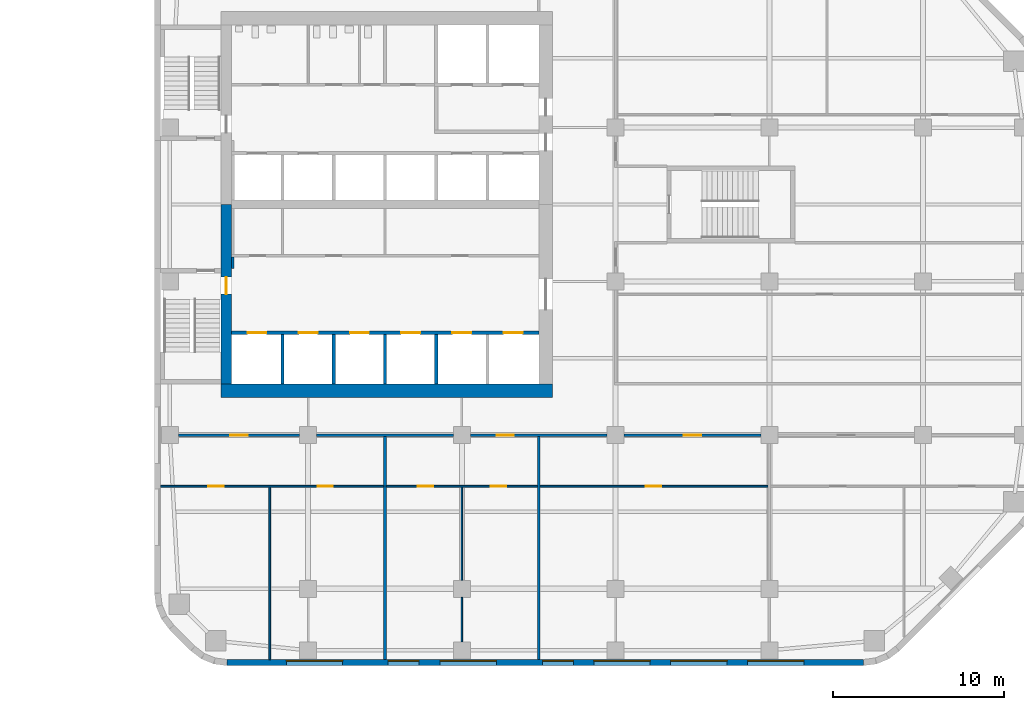
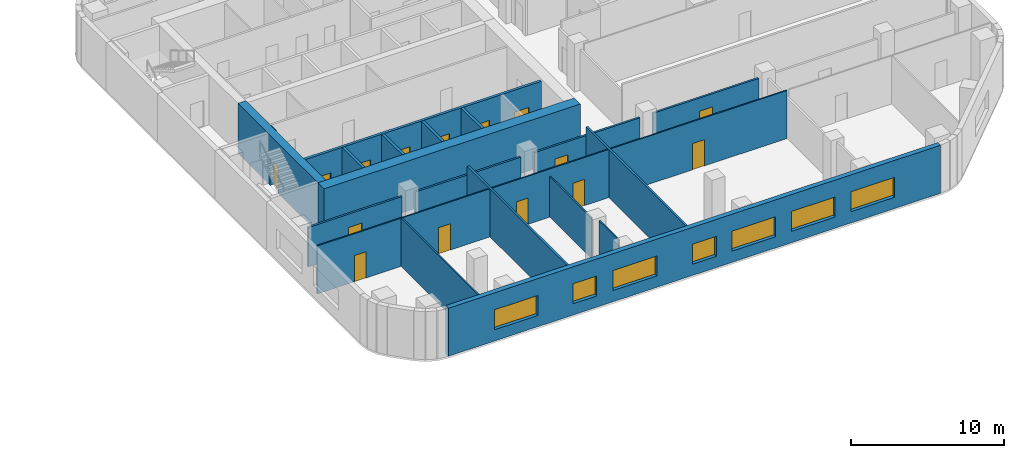
# One storey, part 8 of 15: 21 walls, 15 doors, 7 windows, 22 openings.
"""IFC4 building model written with IfcOpenShell, lengths in metres."""

from ifc_helpers import new_model, si_unit, direction, frame, frame_2d, origin, place, context, subcontext, project, spatial, rectangle, extrude, material, layer, layer_set, type_object, element, fill, save


model = new_model("IFC4")

# Units and contexts
model_context = context("Model", 3, precision=1e-05, world=origin(), true_north=direction((0.0, 1.0)))
body_context = subcontext(model_context, "Body", "Model", "MODEL_VIEW")
ifc_project = project(units=[si_unit("LENGTHUNIT", "METRE"), si_unit("AREAUNIT", "SQUARE_METRE"), si_unit("VOLUMEUNIT", "CUBIC_METRE"), si_unit("PLANEANGLEUNIT", "RADIAN"), si_unit("MASSUNIT", "GRAM", prefix="KILO")], contexts=[model_context])

# Site, building, storey
site_placement = place(None, origin())
site = spatial("IfcSite", under=ifc_project, at=site_placement, CompositionType="ELEMENT")
building_placement = place(site_placement, origin())
building = spatial("IfcBuilding", under=site, at=building_placement, Name="Cinnabar Reach Civic Tower", CompositionType="ELEMENT")
storey_placement = place(building_placement, frame((0.0, 0.0, 120.0)))
storey = spatial("IfcBuildingStorey", under=building, at=storey_placement, Name="L28", CompositionType="ELEMENT", Elevation=120.0)

# Wall, openings, windows
ifc_material_1 = material(Name="Facing brick with insulated backing", Category="masonry")
ifc_layer_1 = layer(ifc_material_1, 0.36)
ifc_layer_set_1 = layer_set([ifc_layer_1], Name="Brick pier and spandrel wall")
wall_type_1 = type_object("IfcWallType", Name="Brick pier and spandrel wall", PredefinedType="STANDARD", material=ifc_layer_set_1)
wall_1_placement = place(storey_placement, frame((4.2426, 4.68, 0.0), z_axis=(0.0, 0.0, 1.0), x_axis=(1.0, 0.0, 0.0)))
wall_1 = element("IfcWall", 1, at=wall_1_placement, inside=storey, type_object=wall_type_1, Name="Brick facade wall", PredefinedType="STANDARD", context=body_context, shape_type="SweptSolid", body=[
    extrude(rectangle(XDim=37.2648, YDim=0.36, at=frame_2d((18.6324, 0.0))), origin(), (0.0, 0.0, 1.0), 3.85),
])
opening_1_placement = place(wall_1_placement, frame((3.4824, 0.0, 0.9)))
opening_1 = element("IfcOpeningElement", 2, at=opening_1_placement, cuts=wall_1, Name="Opening W1589", PredefinedType="OPENING", context=body_context, shape_type="SweptSolid", body=[
    extrude(rectangle(XDim=3.3, YDim=1.6, at=frame_2d((1.65, 0.8))), frame((0.0, 0.19, 0.0), z_axis=(0.0, -1.0, 0.0), x_axis=(1.0, 0.0, 0.0)), (0.0, 0.0, 1.0), 0.38),
])
opening_2_placement = place(wall_1_placement, frame((9.4324, 0.0, 0.9)))
opening_2 = element("IfcOpeningElement", 3, at=opening_2_placement, cuts=wall_1, Name="Opening W1590", PredefinedType="OPENING", context=body_context, shape_type="SweptSolid", body=[
    extrude(rectangle(XDim=1.8, YDim=1.6, at=frame_2d((0.9, 0.8))), frame((0.0, 0.19, 0.0), z_axis=(0.0, -1.0, 0.0), x_axis=(1.0, 0.0, 0.0)), (0.0, 0.0, 1.0), 0.38),
])
opening_3_placement = place(wall_1_placement, frame((12.4824, 0.0, 0.9)))
opening_3 = element("IfcOpeningElement", 4, at=opening_3_placement, cuts=wall_1, Name="Opening W1591", PredefinedType="OPENING", context=body_context, shape_type="SweptSolid", body=[
    extrude(rectangle(XDim=3.3, YDim=1.6, at=frame_2d((1.65, 0.8))), frame((0.0, 0.19, 0.0), z_axis=(0.0, -1.0, 0.0), x_axis=(1.0, 0.0, 0.0)), (0.0, 0.0, 1.0), 0.38),
])
opening_4_placement = place(wall_1_placement, frame((18.4824, 0.0, 0.9)))
opening_4 = element("IfcOpeningElement", 5, at=opening_4_placement, cuts=wall_1, Name="Opening W1592", PredefinedType="OPENING", context=body_context, shape_type="SweptSolid", body=[
    extrude(rectangle(XDim=1.8, YDim=1.6, at=frame_2d((0.9, 0.8))), frame((0.0, 0.19, 0.0), z_axis=(0.0, -1.0, 0.0), x_axis=(1.0, 0.0, 0.0)), (0.0, 0.0, 1.0), 0.38),
])
opening_5_placement = place(wall_1_placement, frame((21.4824, 0.0, 0.9)))
opening_5 = element("IfcOpeningElement", 6, at=opening_5_placement, cuts=wall_1, Name="Opening W1593", PredefinedType="OPENING", context=body_context, shape_type="SweptSolid", body=[
    extrude(rectangle(XDim=3.3, YDim=1.6, at=frame_2d((1.65, 0.8))), frame((0.0, 0.19, 0.0), z_axis=(0.0, -1.0, 0.0), x_axis=(1.0, 0.0, 0.0)), (0.0, 0.0, 1.0), 0.38),
])
opening_6_placement = place(wall_1_placement, frame((25.9824, 0.0, 0.9)))
opening_6 = element("IfcOpeningElement", 7, at=opening_6_placement, cuts=wall_1, Name="Opening W1594", PredefinedType="OPENING", context=body_context, shape_type="SweptSolid", body=[
    extrude(rectangle(XDim=3.3, YDim=1.6, at=frame_2d((1.65, 0.8))), frame((0.0, 0.19, 0.0), z_axis=(0.0, -1.0, 0.0), x_axis=(1.0, 0.0, 0.0)), (0.0, 0.0, 1.0), 0.38),
])
opening_7_placement = place(wall_1_placement, frame((30.4824, 0.0, 0.9)))
opening_7 = element("IfcOpeningElement", 8, at=opening_7_placement, cuts=wall_1, Name="Opening W1595", PredefinedType="OPENING", context=body_context, shape_type="SweptSolid", body=[
    extrude(rectangle(XDim=3.3, YDim=1.6, at=frame_2d((1.65, 0.8))), frame((0.0, 0.19, 0.0), z_axis=(0.0, -1.0, 0.0), x_axis=(1.0, 0.0, 0.0)), (0.0, 0.0, 1.0), 0.38),
])
ifc_material_2 = material(Name="Clear double glazing in aluminium frame", Category="aluminium")
window_type_1 = type_object("IfcWindowType", Name="Deep-set window A", PartitioningType="SINGLE_PANEL", PredefinedType="WINDOW", material=ifc_material_2)
window_1_placement = place(opening_1_placement, origin())
window_1 = element("IfcWindow", 9, at=window_1_placement, inside=storey, type_object=window_type_1, Name="Window south face", OverallHeight=1.6, OverallWidth=3.3, PartitioningType="SINGLE_PANEL", PredefinedType="WINDOW", context=body_context, shape_type="SweptSolid", body=[
    extrude(rectangle(XDim=3.3, YDim=1.6, at=frame_2d((1.65, 0.8))), frame((0.0, 0.13, 0.0), z_axis=(0.0, -1.0, 0.0), x_axis=(1.0, 0.0, 0.0)), (0.0, 0.0, 1.0), 0.06),
])
fill(opening_1, window_1)
window_2_placement = place(opening_3_placement, origin())
window_2 = element("IfcWindow", 10, at=window_2_placement, inside=storey, type_object=window_type_1, Name="Window south face", OverallHeight=1.6, OverallWidth=3.3, PartitioningType="SINGLE_PANEL", PredefinedType="WINDOW", context=body_context, shape_type="SweptSolid", body=[
    extrude(rectangle(XDim=3.3, YDim=1.6, at=frame_2d((1.65, 0.8))), frame((0.0, 0.13, 0.0), z_axis=(0.0, -1.0, 0.0), x_axis=(1.0, 0.0, 0.0)), (0.0, 0.0, 1.0), 0.06),
])
fill(opening_3, window_2)
window_3_placement = place(opening_5_placement, origin())
window_3 = element("IfcWindow", 11, at=window_3_placement, inside=storey, type_object=window_type_1, Name="Window south face", OverallHeight=1.6, OverallWidth=3.3, PartitioningType="SINGLE_PANEL", PredefinedType="WINDOW", context=body_context, shape_type="SweptSolid", body=[
    extrude(rectangle(XDim=3.3, YDim=1.6, at=frame_2d((1.65, 0.8))), frame((0.0, 0.13, 0.0), z_axis=(0.0, -1.0, 0.0), x_axis=(1.0, 0.0, 0.0)), (0.0, 0.0, 1.0), 0.06),
])
fill(opening_5, window_3)
window_4_placement = place(opening_6_placement, origin())
window_4 = element("IfcWindow", 12, at=window_4_placement, inside=storey, type_object=window_type_1, Name="Window south face", OverallHeight=1.6, OverallWidth=3.3, PartitioningType="SINGLE_PANEL", PredefinedType="WINDOW", context=body_context, shape_type="SweptSolid", body=[
    extrude(rectangle(XDim=3.3, YDim=1.6, at=frame_2d((1.65, 0.8))), frame((0.0, 0.13, 0.0), z_axis=(0.0, -1.0, 0.0), x_axis=(1.0, 0.0, 0.0)), (0.0, 0.0, 1.0), 0.06),
])
fill(opening_6, window_4)
window_5_placement = place(opening_7_placement, origin())
window_5 = element("IfcWindow", 13, at=window_5_placement, inside=storey, type_object=window_type_1, Name="Window south face", OverallHeight=1.6, OverallWidth=3.3, PartitioningType="SINGLE_PANEL", PredefinedType="WINDOW", context=body_context, shape_type="SweptSolid", body=[
    extrude(rectangle(XDim=3.3, YDim=1.6, at=frame_2d((1.65, 0.8))), frame((0.0, 0.13, 0.0), z_axis=(0.0, -1.0, 0.0), x_axis=(1.0, 0.0, 0.0)), (0.0, 0.0, 1.0), 0.06),
])
fill(opening_7, window_5)
window_type_2 = type_object("IfcWindowType", Name="Deep-set window D", PartitioningType="SINGLE_PANEL", PredefinedType="WINDOW", material=ifc_material_2)
window_6_placement = place(opening_2_placement, origin())
window_6 = element("IfcWindow", 14, at=window_6_placement, inside=storey, type_object=window_type_2, Name="Window south face", OverallHeight=1.6, OverallWidth=1.8, PartitioningType="SINGLE_PANEL", PredefinedType="WINDOW", context=body_context, shape_type="SweptSolid", body=[
    extrude(rectangle(XDim=1.8, YDim=1.6, at=frame_2d((0.9, 0.8))), frame((0.0, 0.13, 0.0), z_axis=(0.0, -1.0, 0.0), x_axis=(1.0, 0.0, 0.0)), (0.0, 0.0, 1.0), 0.06),
])
fill(opening_2, window_6)
window_7_placement = place(opening_4_placement, origin())
window_7 = element("IfcWindow", 15, at=window_7_placement, inside=storey, type_object=window_type_2, Name="Window south face", OverallHeight=1.6, OverallWidth=1.8, PartitioningType="SINGLE_PANEL", PredefinedType="WINDOW", context=body_context, shape_type="SweptSolid", body=[
    extrude(rectangle(XDim=1.8, YDim=1.6, at=frame_2d((0.9, 0.8))), frame((0.0, 0.13, 0.0), z_axis=(0.0, -1.0, 0.0), x_axis=(1.0, 0.0, 0.0)), (0.0, 0.0, 1.0), 0.06),
])
fill(opening_4, window_7)

# Wall, opening, door
ifc_material_3 = material(Name="Concrete C70", Category="concrete")
ifc_layer_2 = layer(ifc_material_3, 0.6)
ifc_layer_set_2 = layer_set([ifc_layer_2], Name="Core wall 600 EI 180")
wall_type_2 = type_object("IfcWallType", Name="Core wall 600 EI 180", PredefinedType="SOLIDWALL", material=ifc_layer_set_2)
wall_2_placement = place(storey_placement, frame((4.2, 31.5, 0.0), z_axis=(0.0, 0.0, 1.0), x_axis=(0.0, -1.0, 0.0)))
wall_2 = element("IfcWall", 16, at=wall_2_placement, inside=storey, type_object=wall_type_2, Name="Core wall T1 L28 W2", PredefinedType="SOLIDWALL", context=body_context, shape_type="SweptSolid", body=[
    extrude(rectangle(XDim=10.5, YDim=0.6, at=frame_2d((5.25, 0.0))), origin(), (0.0, 0.0, 1.0), 4.0),
])
opening_8_placement = place(wall_2_placement, frame((4.25, 0.0, 0.0)))
opening_8 = element("IfcOpeningElement", 17, at=opening_8_placement, cuts=wall_2, Name="Opening D4126", PredefinedType="OPENING", context=body_context, shape_type="SweptSolid", body=[
    extrude(rectangle(XDim=1.0, YDim=2.1, at=frame_2d((0.5, 1.05))), frame((0.0, 0.31, 0.0), z_axis=(0.0, -1.0, 0.0), x_axis=(1.0, 0.0, 0.0)), (0.0, 0.0, 1.0), 0.62),
])
ifc_material_4 = material(Name="Timber door leaf in steel frame", Category="steel")
door_type_1 = type_object("IfcDoorType", Name="Stair door 1000 x 2100 T1", OperationType="SINGLE_SWING_LEFT", PredefinedType="DOOR", material=ifc_material_4)
door_1_placement = place(opening_8_placement, frame((1.0, 0.0, 0.0), z_axis=(0.0, 0.0, 1.0), x_axis=(-1.0, 0.0, 0.0)))
door_1 = element("IfcDoor", 18, at=door_1_placement, inside=storey, type_object=door_type_1, Name="Door D4126", OperationType="SINGLE_SWING_RIGHT", OverallHeight=2.1, OverallWidth=1.0, PredefinedType="DOOR", context=body_context, shape_type="SweptSolid", body=[
    extrude(rectangle(XDim=1.0, YDim=2.1, at=frame_2d((0.5, 1.05))), frame((0.0, 0.025, 0.0), z_axis=(0.0, -1.0, 0.0), x_axis=(1.0, 0.0, 0.0)), (0.0, 0.0, 1.0), 0.05),
])
fill(opening_8, door_1)

# Wall
ifc_layer_3 = layer(ifc_material_3, 0.8)
ifc_layer_set_3 = layer_set([ifc_layer_3], Name="Core wall 800 EI 180")
wall_type_3 = type_object("IfcWallType", Name="Core wall 800 EI 180", PredefinedType="SOLIDWALL", material=ifc_layer_set_3)
wall_3_placement = place(storey_placement, frame((3.9, 20.6, 0.0), z_axis=(0.0, 0.0, 1.0), x_axis=(1.0, 0.0, 0.0)))
element("IfcWall", 19, at=wall_3_placement, inside=storey, type_object=wall_type_3, Name="Core wall T1 L28 S", PredefinedType="SOLIDWALL", context=body_context, shape_type="SweptSolid", body=[
    extrude(rectangle(XDim=19.4, YDim=0.8, at=frame_2d((9.7, 0.0))), origin(), (0.0, 0.0, 1.0), 4.0),
])

# Wall, opening, door
ifc_material_5 = material(Name="Gypsum board on steel studs, double layer", Category="steel")
ifc_layer_4 = layer(ifc_material_5, 0.15)
ifc_layer_set_4 = layer_set([ifc_layer_4], Name="Corridor wall 150 T1")
wall_type_4 = type_object("IfcWallType", Name="Corridor wall 150 T1", PredefinedType="PARTITIONING", material=ifc_layer_set_4)
wall_4_placement = place(storey_placement, frame((27.5, 18.0, 0.0), z_axis=(0.0, 0.0, 1.0), x_axis=(1.0, 0.0, 0.0)))
wall_4 = element("IfcWall", 20, at=wall_4_placement, inside=storey, type_object=wall_type_4, Name="Corridor wall 21", PredefinedType="PARTITIONING", context=body_context, shape_type="SweptSolid", body=[
    extrude(rectangle(XDim=8.0, YDim=0.15, at=frame_2d((4.0, 0.0))), origin(), (0.0, 0.0, 1.0), 3.158),
])
opening_9_placement = place(wall_4_placement, frame((3.5, 0.0, 0.0)))
opening_9 = element("IfcOpeningElement", 21, at=opening_9_placement, cuts=wall_4, Name="Opening D4164", PredefinedType="OPENING", context=body_context, shape_type="SweptSolid", body=[
    extrude(rectangle(XDim=1.0, YDim=2.1, at=frame_2d((0.5, 1.05))), frame((0.0, 0.085, 0.0), z_axis=(0.0, -1.0, 0.0), x_axis=(1.0, 0.0, 0.0)), (0.0, 0.0, 1.0), 0.17),
])
door_type_2 = type_object("IfcDoorType", Name="Tenancy entrance door 1000 x 2100 T1", OperationType="SINGLE_SWING_LEFT", PredefinedType="DOOR", material=ifc_material_4)
door_2_placement = place(opening_9_placement, frame((1.0, 0.0, 0.0), z_axis=(0.0, 0.0, 1.0), x_axis=(-1.0, 0.0, 0.0)))
door_2 = element("IfcDoor", 22, at=door_2_placement, inside=storey, type_object=door_type_2, Name="Door D4164", OperationType="SINGLE_SWING_LEFT", OverallHeight=2.1, OverallWidth=1.0, PredefinedType="DOOR", context=body_context, shape_type="SweptSolid", body=[
    extrude(rectangle(XDim=1.0, YDim=2.1, at=frame_2d((0.5, 1.05))), frame((0.0, 0.025, 0.0), z_axis=(0.0, -1.0, 0.0), x_axis=(1.0, 0.0, 0.0)), (0.0, 0.0, 1.0), 0.05),
])
fill(opening_9, door_2)

wall_5_placement = place(storey_placement, frame((18.5, 18.0, 0.0), z_axis=(0.0, 0.0, 1.0), x_axis=(1.0, 0.0, 0.0)))
wall_5 = element("IfcWall", 23, at=wall_5_placement, inside=storey, type_object=wall_type_4, Name="Corridor wall 22", PredefinedType="PARTITIONING", context=body_context, shape_type="SweptSolid", body=[
    extrude(rectangle(XDim=8.0, YDim=0.15, at=frame_2d((4.0, 0.0))), origin(), (0.0, 0.0, 1.0), 3.158),
])
opening_10_placement = place(wall_5_placement, frame((1.55, 0.0, 0.0)))
opening_10 = element("IfcOpeningElement", 24, at=opening_10_placement, cuts=wall_5, Name="Opening D4161", PredefinedType="OPENING", context=body_context, shape_type="SweptSolid", body=[
    extrude(rectangle(XDim=1.0, YDim=2.1, at=frame_2d((0.5, 1.05))), frame((0.0, 0.085, 0.0), z_axis=(0.0, -1.0, 0.0), x_axis=(1.0, 0.0, 0.0)), (0.0, 0.0, 1.0), 0.17),
])
door_3_placement = place(opening_10_placement, frame((1.0, 0.0, 0.0), z_axis=(0.0, 0.0, 1.0), x_axis=(-1.0, 0.0, 0.0)))
door_3 = element("IfcDoor", 25, at=door_3_placement, inside=storey, type_object=door_type_2, Name="Door D4161", OperationType="SINGLE_SWING_LEFT", OverallHeight=2.1, OverallWidth=1.0, PredefinedType="DOOR", context=body_context, shape_type="SweptSolid", body=[
    extrude(rectangle(XDim=1.0, YDim=2.1, at=frame_2d((0.5, 1.05))), frame((0.0, 0.025, 0.0), z_axis=(0.0, -1.0, 0.0), x_axis=(1.0, 0.0, 0.0)), (0.0, 0.0, 1.0), 0.05),
])
fill(opening_10, door_3)

# Wall
wall_6_placement = place(storey_placement, frame((9.5, 18.0, 0.0), z_axis=(0.0, 0.0, 1.0), x_axis=(1.0, 0.0, 0.0)))
element("IfcWall", 26, at=wall_6_placement, inside=storey, type_object=wall_type_4, Name="Corridor wall 23", PredefinedType="PARTITIONING", context=body_context, shape_type="SweptSolid", body=[
    extrude(rectangle(XDim=8.0, YDim=0.15, at=frame_2d((4.0, 0.0))), origin(), (0.0, 0.0, 1.0), 3.158),
])

# Wall, opening, door
wall_7_placement = place(storey_placement, frame((1.4, 18.0, 0.0), z_axis=(0.0, 0.0, 1.0), x_axis=(1.0, 0.0, 0.0)))
wall_7 = element("IfcWall", 27, at=wall_7_placement, inside=storey, type_object=wall_type_4, Name="Corridor wall 24", PredefinedType="PARTITIONING", context=body_context, shape_type="SweptSolid", body=[
    extrude(rectangle(XDim=7.1, YDim=0.15, at=frame_2d((3.55, 0.0))), origin(), (0.0, 0.0, 1.0), 3.158),
])
opening_11_placement = place(wall_7_placement, frame((3.05, 0.0, 0.0)))
opening_11 = element("IfcOpeningElement", 28, at=opening_11_placement, cuts=wall_7, Name="Opening D4158", PredefinedType="OPENING", context=body_context, shape_type="SweptSolid", body=[
    extrude(rectangle(XDim=1.0, YDim=2.1, at=frame_2d((0.5, 1.05))), frame((0.0, 0.085, 0.0), z_axis=(0.0, -1.0, 0.0), x_axis=(1.0, 0.0, 0.0)), (0.0, 0.0, 1.0), 0.17),
])
door_4_placement = place(opening_11_placement, frame((1.0, 0.0, 0.0), z_axis=(0.0, 0.0, 1.0), x_axis=(-1.0, 0.0, 0.0)))
door_4 = element("IfcDoor", 29, at=door_4_placement, inside=storey, type_object=door_type_2, Name="Door D4158", OperationType="SINGLE_SWING_LEFT", OverallHeight=2.1, OverallWidth=1.0, PredefinedType="DOOR", context=body_context, shape_type="SweptSolid", body=[
    extrude(rectangle(XDim=1.0, YDim=2.1, at=frame_2d((0.5, 1.05))), frame((0.0, 0.025, 0.0), z_axis=(0.0, -1.0, 0.0), x_axis=(1.0, 0.0, 0.0)), (0.0, 0.0, 1.0), 0.05),
])
fill(opening_11, door_4)

# Wall
wall_8_placement = place(storey_placement, frame((4.575, 27.75, 0.0), z_axis=(0.0, 0.0, 1.0), x_axis=(0.0, 1.0, 0.0)))
element("IfcWall", 30, at=wall_8_placement, inside=storey, type_object=wall_type_4, Name="Corridor wall 35", PredefinedType="PARTITIONING", context=body_context, shape_type="SweptSolid", body=[
    extrude(rectangle(XDim=0.675, YDim=0.15, at=frame_2d((0.3375, 0.0))), origin(), (0.0, 0.0, 1.0), 3.85),
])

# Wall, openings, doors
ifc_material_6 = material(Name="Blockwork", Category="masonry")
ifc_layer_5 = layer(ifc_material_6, 0.2)
ifc_layer_set_5 = layer_set([ifc_layer_5], Name="Lift shaft wall 200 T1")
wall_type_5 = type_object("IfcWallType", Name="Lift shaft wall 200 T1", PredefinedType="PARTITIONING", material=ifc_layer_set_5)
wall_9_placement = place(storey_placement, frame((4.5, 24.0, 0.0), z_axis=(0.0, 0.0, 1.0), x_axis=(1.0, 0.0, 0.0)))
wall_9 = element("IfcWall", 31, at=wall_9_placement, inside=storey, type_object=wall_type_5, Name="Lift shaft wall 4", PredefinedType="PARTITIONING", context=body_context, shape_type="SweptSolid", body=[
    extrude(rectangle(XDim=18.0, YDim=0.2, at=frame_2d((9.0, 0.0))), origin(), (0.0, 0.0, 1.0), 3.85),
])
opening_12_placement = place(wall_9_placement, frame((0.95, 0.0, 0.0)))
opening_12 = element("IfcOpeningElement", 32, at=opening_12_placement, cuts=wall_9, Name="Opening D4130", PredefinedType="OPENING", context=body_context, shape_type="SweptSolid", body=[
    extrude(rectangle(XDim=1.1, YDim=2.1, at=frame_2d((0.55, 1.05))), frame((0.0, 0.11, 0.0), z_axis=(0.0, -1.0, 0.0), x_axis=(1.0, 0.0, 0.0)), (0.0, 0.0, 1.0), 0.22),
])
opening_13_placement = place(wall_9_placement, frame((3.95, 0.0, 0.0)))
opening_13 = element("IfcOpeningElement", 33, at=opening_13_placement, cuts=wall_9, Name="Opening D4131", PredefinedType="OPENING", context=body_context, shape_type="SweptSolid", body=[
    extrude(rectangle(XDim=1.1, YDim=2.1, at=frame_2d((0.55, 1.05))), frame((0.0, 0.11, 0.0), z_axis=(0.0, -1.0, 0.0), x_axis=(1.0, 0.0, 0.0)), (0.0, 0.0, 1.0), 0.22),
])
opening_14_placement = place(wall_9_placement, frame((6.95, 0.0, 0.0)))
opening_14 = element("IfcOpeningElement", 34, at=opening_14_placement, cuts=wall_9, Name="Opening D4132", PredefinedType="OPENING", context=body_context, shape_type="SweptSolid", body=[
    extrude(rectangle(XDim=1.1, YDim=2.1, at=frame_2d((0.55, 1.05))), frame((0.0, 0.11, 0.0), z_axis=(0.0, -1.0, 0.0), x_axis=(1.0, 0.0, 0.0)), (0.0, 0.0, 1.0), 0.22),
])
opening_15_placement = place(wall_9_placement, frame((9.95, 0.0, 0.0)))
opening_15 = element("IfcOpeningElement", 35, at=opening_15_placement, cuts=wall_9, Name="Opening D4133", PredefinedType="OPENING", context=body_context, shape_type="SweptSolid", body=[
    extrude(rectangle(XDim=1.1, YDim=2.1, at=frame_2d((0.55, 1.05))), frame((0.0, 0.11, 0.0), z_axis=(0.0, -1.0, 0.0), x_axis=(1.0, 0.0, 0.0)), (0.0, 0.0, 1.0), 0.22),
])
opening_16_placement = place(wall_9_placement, frame((12.95, 0.0, 0.0)))
opening_16 = element("IfcOpeningElement", 36, at=opening_16_placement, cuts=wall_9, Name="Opening D4134", PredefinedType="OPENING", context=body_context, shape_type="SweptSolid", body=[
    extrude(rectangle(XDim=1.1, YDim=2.1, at=frame_2d((0.55, 1.05))), frame((0.0, 0.11, 0.0), z_axis=(0.0, -1.0, 0.0), x_axis=(1.0, 0.0, 0.0)), (0.0, 0.0, 1.0), 0.22),
])
opening_17_placement = place(wall_9_placement, frame((15.95, 0.0, 0.0)))
opening_17 = element("IfcOpeningElement", 37, at=opening_17_placement, cuts=wall_9, Name="Opening D4135", PredefinedType="OPENING", context=body_context, shape_type="SweptSolid", body=[
    extrude(rectangle(XDim=1.1, YDim=2.1, at=frame_2d((0.55, 1.05))), frame((0.0, 0.11, 0.0), z_axis=(0.0, -1.0, 0.0), x_axis=(1.0, 0.0, 0.0)), (0.0, 0.0, 1.0), 0.22),
])
ifc_material_7 = material(Name="Stainless steel sliding door", Category="steel")
door_type_3 = type_object("IfcDoorType", Name="Lift landing door 1100 x 2100 T1", OperationType="SLIDING_TO_LEFT", PredefinedType="DOOR", material=ifc_material_7)
door_5_placement = place(opening_12_placement, origin())
door_5 = element("IfcDoor", 38, at=door_5_placement, inside=storey, type_object=door_type_3, Name="Lift landing door LR1 L28", OperationType="SLIDING_TO_LEFT", OverallHeight=2.1, OverallWidth=1.1, PredefinedType="DOOR", context=body_context, shape_type="SweptSolid", body=[
    extrude(rectangle(XDim=1.1, YDim=2.1, at=frame_2d((0.55, 1.05))), frame((0.0, 0.025, 0.0), z_axis=(0.0, -1.0, 0.0), x_axis=(1.0, 0.0, 0.0)), (0.0, 0.0, 1.0), 0.05),
])
fill(opening_12, door_5)
door_6_placement = place(opening_13_placement, origin())
door_6 = element("IfcDoor", 39, at=door_6_placement, inside=storey, type_object=door_type_3, Name="Lift landing door LR2 L28", OperationType="SLIDING_TO_LEFT", OverallHeight=2.1, OverallWidth=1.1, PredefinedType="DOOR", context=body_context, shape_type="SweptSolid", body=[
    extrude(rectangle(XDim=1.1, YDim=2.1, at=frame_2d((0.55, 1.05))), frame((0.0, 0.025, 0.0), z_axis=(0.0, -1.0, 0.0), x_axis=(1.0, 0.0, 0.0)), (0.0, 0.0, 1.0), 0.05),
])
fill(opening_13, door_6)
door_7_placement = place(opening_14_placement, origin())
door_7 = element("IfcDoor", 40, at=door_7_placement, inside=storey, type_object=door_type_3, Name="Lift landing door LR3 L28", OperationType="SLIDING_TO_LEFT", OverallHeight=2.1, OverallWidth=1.1, PredefinedType="DOOR", context=body_context, shape_type="SweptSolid", body=[
    extrude(rectangle(XDim=1.1, YDim=2.1, at=frame_2d((0.55, 1.05))), frame((0.0, 0.025, 0.0), z_axis=(0.0, -1.0, 0.0), x_axis=(1.0, 0.0, 0.0)), (0.0, 0.0, 1.0), 0.05),
])
fill(opening_14, door_7)
door_8_placement = place(opening_15_placement, origin())
door_8 = element("IfcDoor", 41, at=door_8_placement, inside=storey, type_object=door_type_3, Name="Lift landing door LR4 L28", OperationType="SLIDING_TO_LEFT", OverallHeight=2.1, OverallWidth=1.1, PredefinedType="DOOR", context=body_context, shape_type="SweptSolid", body=[
    extrude(rectangle(XDim=1.1, YDim=2.1, at=frame_2d((0.55, 1.05))), frame((0.0, 0.025, 0.0), z_axis=(0.0, -1.0, 0.0), x_axis=(1.0, 0.0, 0.0)), (0.0, 0.0, 1.0), 0.05),
])
fill(opening_15, door_8)
door_9_placement = place(opening_16_placement, origin())
door_9 = element("IfcDoor", 42, at=door_9_placement, inside=storey, type_object=door_type_3, Name="Lift landing door LR5 L28", OperationType="SLIDING_TO_LEFT", OverallHeight=2.1, OverallWidth=1.1, PredefinedType="DOOR", context=body_context, shape_type="SweptSolid", body=[
    extrude(rectangle(XDim=1.1, YDim=2.1, at=frame_2d((0.55, 1.05))), frame((0.0, 0.025, 0.0), z_axis=(0.0, -1.0, 0.0), x_axis=(1.0, 0.0, 0.0)), (0.0, 0.0, 1.0), 0.05),
])
fill(opening_16, door_9)
door_10_placement = place(opening_17_placement, origin())
door_10 = element("IfcDoor", 43, at=door_10_placement, inside=storey, type_object=door_type_3, Name="Lift landing door LR6 L28", OperationType="SLIDING_TO_LEFT", OverallHeight=2.1, OverallWidth=1.1, PredefinedType="DOOR", context=body_context, shape_type="SweptSolid", body=[
    extrude(rectangle(XDim=1.1, YDim=2.1, at=frame_2d((0.55, 1.05))), frame((0.0, 0.025, 0.0), z_axis=(0.0, -1.0, 0.0), x_axis=(1.0, 0.0, 0.0)), (0.0, 0.0, 1.0), 0.05),
])
fill(opening_17, door_10)

# Walls
for number, where, z_axis, x_axis, name in (
    (44, (7.5, 21.0, 0.0), (0.0, 0.0, 1.0), (0.0, 1.0, 0.0), "Lift shaft wall 9"),
    (45, (10.5, 21.0, 0.0), (0.0, 0.0, 1.0), (0.0, 1.0, 0.0), "Lift shaft wall 11"),
    (46, (13.5, 21.0, 0.0), (0.0, 0.0, 1.0), (0.0, 1.0, 0.0), "Lift shaft wall 13"),
    (47, (16.5, 21.0, 0.0), (0.0, 0.0, 1.0), (0.0, 1.0, 0.0), "Lift shaft wall 15"),
):
    element("IfcWall", number, at=place(storey_placement, frame(where, z_axis=z_axis, x_axis=x_axis)), inside=storey, type_object=wall_type_5, Name=name, PredefinedType="PARTITIONING", context=body_context, shape_type="SweptSolid", body=[
        extrude(rectangle(XDim=2.9, YDim=0.2, at=frame_2d((1.45, 0.0))), origin(), (0.0, 0.0, 1.0), 3.85),
    ])

# Wall, opening, door
ifc_material_8 = material(Name="Gypsum board on steel studs", Category="steel")
ifc_layer_6 = layer(ifc_material_8, 0.1)
ifc_layer_set_6 = layer_set([ifc_layer_6], Name="Partition wall 100 T1")
wall_type_6 = type_object("IfcWallType", Name="Partition wall 100 T1", PredefinedType="PARTITIONING", material=ifc_layer_set_6)
wall_10_placement = place(storey_placement, frame((22.575, 15.0, 0.0), z_axis=(0.0, 0.0, 1.0), x_axis=(1.0, 0.0, 0.0)))
wall_10 = element("IfcWall", 48, at=wall_10_placement, inside=storey, type_object=wall_type_6, Name="Partition wall 48", PredefinedType="PARTITIONING", context=body_context, shape_type="SweptSolid", body=[
    extrude(rectangle(XDim=13.35, YDim=0.1, at=frame_2d((6.675, 0.0))), origin(), (0.0, 0.0, 1.0), 3.85),
])
opening_18_placement = place(wall_10_placement, frame((6.2, 0.0, 0.0)))
opening_18 = element("IfcOpeningElement", 49, at=opening_18_placement, cuts=wall_10, Name="Opening D4165", PredefinedType="OPENING", context=body_context, shape_type="SweptSolid", body=[
    extrude(rectangle(XDim=0.9, YDim=2.1, at=frame_2d((0.45, 1.05))), frame((0.0, 0.06, 0.0), z_axis=(0.0, -1.0, 0.0), x_axis=(1.0, 0.0, 0.0)), (0.0, 0.0, 1.0), 0.12),
])
door_type_4 = type_object("IfcDoorType", Name="Single swing door 900 x 2100 T1", OperationType="SINGLE_SWING_LEFT", PredefinedType="DOOR", material=ifc_material_4)
door_11_placement = place(opening_18_placement, origin())
door_11 = element("IfcDoor", 50, at=door_11_placement, inside=storey, type_object=door_type_4, Name="Door D4165", OperationType="SINGLE_SWING_LEFT", OverallHeight=2.1, OverallWidth=0.9, PredefinedType="DOOR", context=body_context, shape_type="SweptSolid", body=[
    extrude(rectangle(XDim=0.9, YDim=2.1, at=frame_2d((0.45, 1.05))), frame((0.0, 0.025, 0.0), z_axis=(0.0, -1.0, 0.0), x_axis=(1.0, 0.0, 0.0)), (0.0, 0.0, 1.0), 0.05),
])
fill(opening_18, door_11)

# Wall, openings, doors
wall_11_placement = place(storey_placement, frame((13.575, 15.0, 0.0), z_axis=(0.0, 0.0, 1.0), x_axis=(1.0, 0.0, 0.0)))
wall_11 = element("IfcWall", 51, at=wall_11_placement, inside=storey, type_object=wall_type_6, Name="Partition wall 49", PredefinedType="PARTITIONING", context=body_context, shape_type="SweptSolid", body=[
    extrude(rectangle(XDim=8.85, YDim=0.1, at=frame_2d((4.425, 0.0))), origin(), (0.0, 0.0, 1.0), 3.85),
])
opening_19_placement = place(wall_11_placement, frame((1.85, 0.0, 0.0)))
opening_19 = element("IfcOpeningElement", 52, at=opening_19_placement, cuts=wall_11, Name="Opening D4162", PredefinedType="OPENING", context=body_context, shape_type="SweptSolid", body=[
    extrude(rectangle(XDim=0.9, YDim=2.1, at=frame_2d((0.45, 1.05))), frame((0.0, 0.06, 0.0), z_axis=(0.0, -1.0, 0.0), x_axis=(1.0, 0.0, 0.0)), (0.0, 0.0, 1.0), 0.12),
])
opening_20_placement = place(wall_11_placement, frame((6.125, 0.0, 0.0)))
opening_20 = element("IfcOpeningElement", 53, at=opening_20_placement, cuts=wall_11, Name="Opening D4163", PredefinedType="OPENING", context=body_context, shape_type="SweptSolid", body=[
    extrude(rectangle(XDim=0.9, YDim=2.1, at=frame_2d((0.45, 1.05))), frame((0.0, 0.06, 0.0), z_axis=(0.0, -1.0, 0.0), x_axis=(1.0, 0.0, 0.0)), (0.0, 0.0, 1.0), 0.12),
])
door_12_placement = place(opening_19_placement, frame((0.9, 0.0, 0.0), z_axis=(0.0, 0.0, 1.0), x_axis=(-1.0, 0.0, 0.0)))
door_12 = element("IfcDoor", 54, at=door_12_placement, inside=storey, type_object=door_type_4, Name="Door D4162", OperationType="SINGLE_SWING_RIGHT", OverallHeight=2.1, OverallWidth=0.9, PredefinedType="DOOR", context=body_context, shape_type="SweptSolid", body=[
    extrude(rectangle(XDim=0.9, YDim=2.1, at=frame_2d((0.45, 1.05))), frame((0.0, 0.025, 0.0), z_axis=(0.0, -1.0, 0.0), x_axis=(1.0, 0.0, 0.0)), (0.0, 0.0, 1.0), 0.05),
])
fill(opening_19, door_12)
door_13_placement = place(opening_20_placement, frame((0.9, 0.0, 0.0), z_axis=(0.0, 0.0, 1.0), x_axis=(-1.0, 0.0, 0.0)))
door_13 = element("IfcDoor", 55, at=door_13_placement, inside=storey, type_object=door_type_4, Name="Door D4163", OperationType="SINGLE_SWING_LEFT", OverallHeight=2.1, OverallWidth=0.9, PredefinedType="DOOR", context=body_context, shape_type="SweptSolid", body=[
    extrude(rectangle(XDim=0.9, YDim=2.1, at=frame_2d((0.45, 1.05))), frame((0.0, 0.025, 0.0), z_axis=(0.0, -1.0, 0.0), x_axis=(1.0, 0.0, 0.0)), (0.0, 0.0, 1.0), 0.05),
])
fill(opening_20, door_13)

wall_12_placement = place(storey_placement, frame((0.36, 15.0, 0.0), z_axis=(0.0, 0.0, 1.0), x_axis=(1.0, 0.0, 0.0)))
wall_12 = element("IfcWall", 56, at=wall_12_placement, inside=storey, type_object=wall_type_6, Name="Partition wall 50", PredefinedType="PARTITIONING", context=body_context, shape_type="SweptSolid", body=[
    extrude(rectangle(XDim=13.065, YDim=0.1, at=frame_2d((6.5325, 0.0))), origin(), (0.0, 0.0, 1.0), 3.85),
])
opening_21_placement = place(wall_12_placement, frame((2.8, 0.0, 0.0)))
opening_21 = element("IfcOpeningElement", 57, at=opening_21_placement, cuts=wall_12, Name="Opening D4159", PredefinedType="OPENING", context=body_context, shape_type="SweptSolid", body=[
    extrude(rectangle(XDim=0.9, YDim=2.1, at=frame_2d((0.45, 1.05))), frame((0.0, 0.06, 0.0), z_axis=(0.0, -1.0, 0.0), x_axis=(1.0, 0.0, 0.0)), (0.0, 0.0, 1.0), 0.12),
])
opening_22_placement = place(wall_12_placement, frame((9.19, 0.0, 0.0)))
opening_22 = element("IfcOpeningElement", 58, at=opening_22_placement, cuts=wall_12, Name="Opening D4160", PredefinedType="OPENING", context=body_context, shape_type="SweptSolid", body=[
    extrude(rectangle(XDim=0.9, YDim=2.1, at=frame_2d((0.45, 1.05))), frame((0.0, 0.06, 0.0), z_axis=(0.0, -1.0, 0.0), x_axis=(1.0, 0.0, 0.0)), (0.0, 0.0, 1.0), 0.12),
])
door_14_placement = place(opening_21_placement, origin())
door_14 = element("IfcDoor", 59, at=door_14_placement, inside=storey, type_object=door_type_4, Name="Door D4159", OperationType="SINGLE_SWING_RIGHT", OverallHeight=2.1, OverallWidth=0.9, PredefinedType="DOOR", context=body_context, shape_type="SweptSolid", body=[
    extrude(rectangle(XDim=0.9, YDim=2.1, at=frame_2d((0.45, 1.05))), frame((0.0, 0.025, 0.0), z_axis=(0.0, -1.0, 0.0), x_axis=(1.0, 0.0, 0.0)), (0.0, 0.0, 1.0), 0.05),
])
fill(opening_21, door_14)
door_15_placement = place(opening_22_placement, origin())
door_15 = element("IfcDoor", 60, at=door_15_placement, inside=storey, type_object=door_type_4, Name="Door D4160", OperationType="SINGLE_SWING_LEFT", OverallHeight=2.1, OverallWidth=0.9, PredefinedType="DOOR", context=body_context, shape_type="SweptSolid", body=[
    extrude(rectangle(XDim=0.9, YDim=2.1, at=frame_2d((0.45, 1.05))), frame((0.0, 0.025, 0.0), z_axis=(0.0, -1.0, 0.0), x_axis=(1.0, 0.0, 0.0)), (0.0, 0.0, 1.0), 0.05),
])
fill(opening_22, door_15)

# Walls
wall_13_placement = place(storey_placement, frame((6.75, 4.86, 0.0), z_axis=(0.0, 0.0, 1.0), x_axis=(0.0, 1.0, 0.0)))
element("IfcWall", 61, at=wall_13_placement, inside=storey, type_object=wall_type_6, Name="Partition wall 54", PredefinedType="PARTITIONING", context=body_context, shape_type="SweptSolid", body=[
    extrude(rectangle(XDim=10.09, YDim=0.1, at=frame_2d((5.045, 0.0))), origin(), (0.0, 0.0, 1.0), 3.85),
])
wall_14_placement = place(storey_placement, frame((18.0, 5.9, 0.0), z_axis=(0.0, 0.0, 1.0), x_axis=(0.0, 1.0, 0.0)))
element("IfcWall", 62, at=wall_14_placement, inside=storey, type_object=wall_type_6, Name="Partition wall 55", PredefinedType="PARTITIONING", context=body_context, shape_type="SweptSolid", body=[
    extrude(rectangle(XDim=2.6, YDim=0.1, at=frame_2d((1.3, 0.0))), origin(), (0.0, 0.0, 1.0), 3.652),
])
wall_15_placement = place(storey_placement, frame((18.0, 9.5, 0.0), z_axis=(0.0, 0.0, 1.0), x_axis=(0.0, 1.0, 0.0)))
element("IfcWall", 63, at=wall_15_placement, inside=storey, type_object=wall_type_6, Name="Partition wall 56", PredefinedType="PARTITIONING", context=body_context, shape_type="SweptSolid", body=[
    extrude(rectangle(XDim=5.45, YDim=0.1, at=frame_2d((2.725, 0.0))), origin(), (0.0, 0.0, 1.0), 3.256),
])
ifc_layer_7 = layer(ifc_material_5, 0.15)
ifc_layer_set_7 = layer_set([ifc_layer_7], Name="Tenancy separating wall 150 T1")
wall_type_7 = type_object("IfcWallType", Name="Tenancy separating wall 150 T1", PredefinedType="PARTITIONING", material=ifc_layer_set_7)
for number, where, z_axis, x_axis, name in (
    (64, (13.5, 4.86, 0.0), (0.0, 0.0, 1.0), (0.0, 1.0, 0.0), "Tenancy separating wall 43"),
    (65, (22.5, 4.86, 0.0), (0.0, 0.0, 1.0), (0.0, 1.0, 0.0), "Tenancy separating wall 44"),
):
    element("IfcWall", number, at=place(storey_placement, frame(where, z_axis=z_axis, x_axis=x_axis)), inside=storey, type_object=wall_type_7, Name=name, PredefinedType="PARTITIONING", context=body_context, shape_type="SweptSolid", body=[
        extrude(rectangle(XDim=13.065, YDim=0.15, at=frame_2d((6.5325, 0.0))), origin(), (0.0, 0.0, 1.0), 3.85),
    ])

save(model, "model.ifc")
